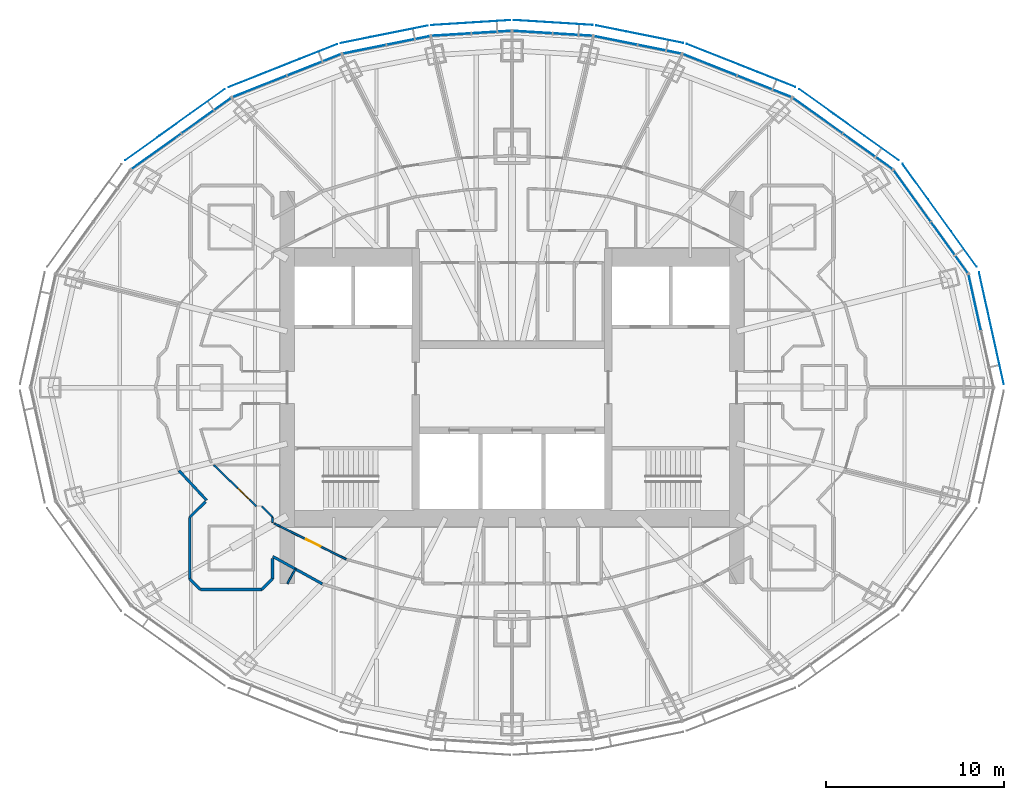
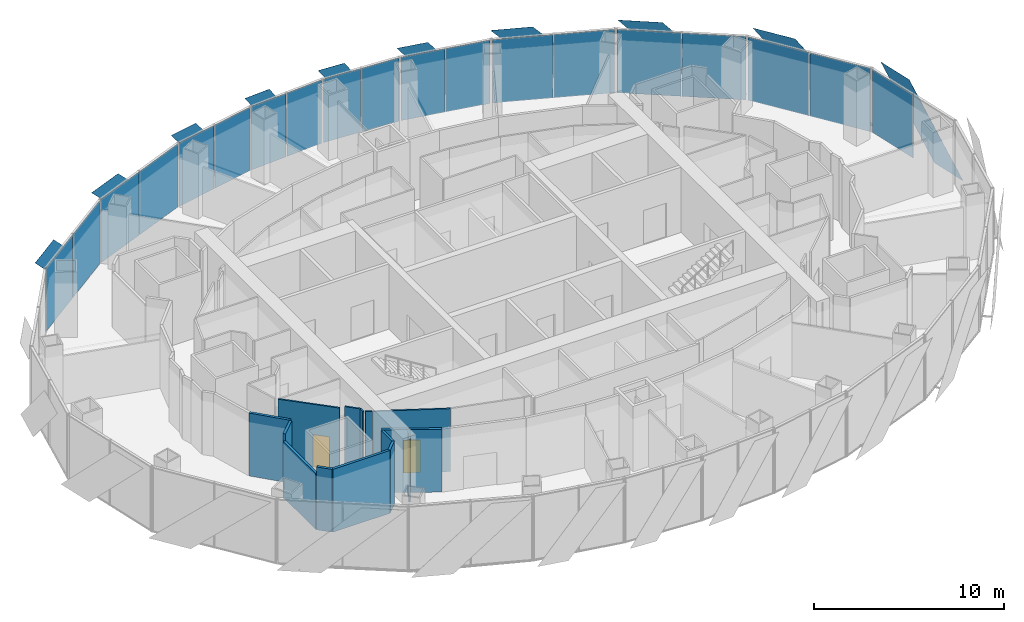
# One storey, part 11 of 19: 29 plates, 14 walls, 2 doors, 2 openings, 10 elements without a shape of their own.
"""IFC4 building model written with IfcOpenShell, lengths in metres."""

from ifc_helpers import new_model, si_unit, direction, frame, frame_2d, origin, origin_2d, place, context, subcontext, project, spatial, polyline, rectangle, outline, extrude, material, layer, layer_set, type_object, element, fill, aggregate, save


model = new_model("IFC4")

# Units and contexts
model_context = context("Model", 3, precision=1e-05, world=origin(), true_north=direction((0.0, 1.0)))
body_context = subcontext(model_context, "Body", "Model", "MODEL_VIEW")
ifc_project = project(units=[si_unit("LENGTHUNIT", "METRE"), si_unit("AREAUNIT", "SQUARE_METRE"), si_unit("VOLUMEUNIT", "CUBIC_METRE"), si_unit("PLANEANGLEUNIT", "RADIAN"), si_unit("MASSUNIT", "GRAM", prefix="KILO")], contexts=[model_context])

# Site, building, storey
site_placement = place(None, origin())
site = spatial("IfcSite", under=ifc_project, at=site_placement, CompositionType="ELEMENT")
building_placement = place(site_placement, origin())
building = spatial("IfcBuilding", under=site, at=building_placement, Name="Lantaw Convention Tower", CompositionType="ELEMENT")
storey_placement = place(building_placement, frame((0.0, 0.0, 249.39990234375)))
storey = spatial("IfcBuildingStorey", under=building, at=storey_placement, Name="L58", CompositionType="ELEMENT", Elevation=249.39990234375)

# Curtain wall, plate
ifc_material_1 = material(Name="Aluminium framed curtain wall", Category="aluminium")
curtain_wall_type = type_object("IfcCurtainWallType", Name="Office curtain wall high rise, pale aluminium", PredefinedType="USERDEFINED", material=ifc_material_1)
curtain_wall_1_placement = place(storey_placement, origin())
curtain_wall_1 = element("IfcCurtainWall", 1, at=curtain_wall_1_placement, inside=storey, type_object=curtain_wall_type, Name="Office curtain wall high rise, pale aluminium L58", ObjectType="UNITISED CURTAIN WALL", PredefinedType="USERDEFINED")
ifc_material_2 = material(Name="Clear insulating glass", Category="glass")
ifc_layer_1 = layer(ifc_material_2, 0.028076171875)
ifc_layer_set_1 = layer_set([ifc_layer_1], Name="CW-O2 panel 28")
plate_type_1 = type_object("IfcPlateType", Name="CW-O2 panel 28", PredefinedType="CURTAIN_PANEL", material=ifc_layer_set_1)
plate_1_placement = place(storey_placement, frame((25.945556640625, 4.769287109375, -0.0849609375), z_axis=(0.0, 0.0, 1.0), x_axis=(-0.215891333626, 0.976417396437, 0.0)))
plate_1 = element("IfcPlate", 2, at=plate_1_placement, type_object=plate_type_1, Name="CW-O2 panel 2.1", PredefinedType="CURTAIN_PANEL", context=body_context, shape_type="SweptSolid", body=[
    extrude(rectangle(XDim=3.169677734375, YDim=0.028076171875, at=origin_2d()), origin(), (0.0, 0.0, 1.0), 4.070068359375),
])
aggregate(curtain_wall_1, [plate_1])

# Curtain wall, plates
curtain_wall_2_placement = place(storey_placement, origin())
curtain_wall_2 = element("IfcCurtainWall", 3, at=curtain_wall_2_placement, inside=storey, type_object=curtain_wall_type, Name="Office curtain wall high rise, pale aluminium L58", ObjectType="UNITISED CURTAIN WALL", PredefinedType="USERDEFINED")
plate_2_placement = place(storey_placement, frame((24.527099609375, 7.852294921875, -0.0849609375), z_axis=(0.0, 0.0, 1.0), x_axis=(-0.585157643865, 0.810919559405, 0.0)))
plate_2 = element("IfcPlate", 4, at=plate_2_placement, type_object=plate_type_1, Name="CW-O2 panel 1.1", PredefinedType="CURTAIN_PANEL", context=body_context, shape_type="SweptSolid", body=[
    extrude(rectangle(XDim=3.500732421875, YDim=0.028076171875, at=origin_2d()), origin(), (0.0, 0.0, 1.0), 4.070068359375),
])
plate_3_placement = place(storey_placement, frame((22.4404296875, 10.743896484375, -0.0849609375), z_axis=(0.0, 0.0, 1.0), x_axis=(-0.585157643865, 0.810919559405, 0.0)))
plate_3 = element("IfcPlate", 5, at=plate_3_placement, type_object=plate_type_1, Name="CW-O2 panel 2.1", PredefinedType="CURTAIN_PANEL", context=body_context, shape_type="SweptSolid", body=[
    extrude(rectangle(XDim=3.500732421875, YDim=0.028076171875, at=origin_2d()), origin(), (0.0, 0.0, 1.0), 4.070068359375),
])
aggregate(curtain_wall_2, [plate_2, plate_3])

curtain_wall_3_placement = place(storey_placement, origin())
curtain_wall_3 = element("IfcCurtainWall", 6, at=curtain_wall_3_placement, inside=storey, type_object=curtain_wall_type, Name="Office curtain wall high rise, pale aluminium L58", ObjectType="UNITISED CURTAIN WALL", PredefinedType="USERDEFINED")
plate_4_placement = place(storey_placement, frame((19.947509765625, 13.23828125, -0.0849609375), z_axis=(0.0, 0.0, 1.0), x_axis=(-0.813672540482, 0.581323487281, 0.0)))
plate_4 = element("IfcPlate", 7, at=plate_4_placement, type_object=plate_type_1, Name="CW-O2 panel 1.1", PredefinedType="CURTAIN_PANEL", context=body_context, shape_type="SweptSolid", body=[
    extrude(rectangle(XDim=3.386474609375, YDim=0.028076171875, at=origin_2d()), origin(), (0.0, 0.0, 1.0), 4.070068359375),
])
plate_5_placement = place(storey_placement, frame((17.13916015625, 15.24462890625, -0.0849609375), z_axis=(0.0, 0.0, 1.0), x_axis=(-0.813672540482, 0.581323487281, 0.0)))
plate_5 = element("IfcPlate", 8, at=plate_5_placement, type_object=plate_type_1, Name="CW-O2 panel 2.1", PredefinedType="CURTAIN_PANEL", context=body_context, shape_type="SweptSolid", body=[
    extrude(rectangle(XDim=3.386474609375, YDim=0.028076171875, at=origin_2d()), origin(), (0.0, 0.0, 1.0), 4.070068359375),
])
aggregate(curtain_wall_3, [plate_4, plate_5])

curtain_wall_4_placement = place(storey_placement, origin())
curtain_wall_4 = element("IfcCurtainWall", 9, at=curtain_wall_4_placement, inside=storey, type_object=curtain_wall_type, Name="Office curtain wall high rise, pale aluminium L58", ObjectType="UNITISED CURTAIN WALL", PredefinedType="USERDEFINED")
plate_6_placement = place(storey_placement, frame((14.14990234375, 16.8837890625, -0.0849609375), z_axis=(0.0, 0.0, 1.0), x_axis=(-0.929761533743, 0.368162315252, 0.0)))
plate_6 = element("IfcPlate", 10, at=plate_6_placement, type_object=plate_type_1, Name="CW-O2 panel 1.1", PredefinedType="CURTAIN_PANEL", context=body_context, shape_type="SweptSolid", body=[
    extrude(rectangle(XDim=3.222900390625, YDim=0.028076171875, at=origin_2d()), origin(), (0.0, 0.0, 1.0), 4.070068359375),
])
plate_7_placement = place(storey_placement, frame((11.0927734375, 18.094482421875, -0.0849609375), z_axis=(0.0, 0.0, 1.0), x_axis=(-0.929761533743, 0.368162315252, 0.0)))
plate_7 = element("IfcPlate", 11, at=plate_7_placement, type_object=plate_type_1, Name="CW-O2 panel 2.1", PredefinedType="CURTAIN_PANEL", context=body_context, shape_type="SweptSolid", body=[
    extrude(rectangle(XDim=3.222900390625, YDim=0.028076171875, at=origin_2d()), origin(), (0.0, 0.0, 1.0), 4.070068359375),
])
aggregate(curtain_wall_4, [plate_6, plate_7])

curtain_wall_5_placement = place(storey_placement, origin())
curtain_wall_5 = element("IfcCurtainWall", 12, at=curtain_wall_5_placement, inside=storey, type_object=curtain_wall_type, Name="Office curtain wall high rise, pale aluminium L58", ObjectType="UNITISED CURTAIN WALL", PredefinedType="USERDEFINED")
plate_8_placement = place(storey_placement, frame((8.2724609375, 18.96533203125, -0.0849609375), z_axis=(0.0, 0.0, 1.0), x_axis=(-0.980366679695, 0.197183095987, 0.0)))
plate_8 = element("IfcPlate", 13, at=plate_8_placement, type_object=plate_type_1, Name="CW-O2 panel 1.1", PredefinedType="CURTAIN_PANEL", context=body_context, shape_type="SweptSolid", body=[
    extrude(rectangle(XDim=2.44384765625, YDim=0.028076171875, at=origin_2d()), origin(), (0.0, 0.0, 1.0), 4.070068359375),
])
plate_9_placement = place(storey_placement, frame((5.81298828125, 19.4599609375, -0.0849609375), z_axis=(0.0, 0.0, 1.0), x_axis=(-0.980366679695, 0.197183095987, 0.0)))
plate_9 = element("IfcPlate", 14, at=plate_9_placement, type_object=plate_type_1, Name="CW-O2 panel 2.1", PredefinedType="CURTAIN_PANEL", context=body_context, shape_type="SweptSolid", body=[
    extrude(rectangle(XDim=2.44384765625, YDim=0.028076171875, at=origin_2d()), origin(), (0.0, 0.0, 1.0), 4.070068359375),
])
aggregate(curtain_wall_5, [plate_8, plate_9])

curtain_wall_6_placement = place(storey_placement, origin())
curtain_wall_6 = element("IfcCurtainWall", 15, at=curtain_wall_6_placement, inside=storey, type_object=curtain_wall_type, Name="Office curtain wall high rise, pale aluminium L58", ObjectType="UNITISED CURTAIN WALL", PredefinedType="USERDEFINED")
plate_10_placement = place(storey_placement, frame((3.397216796875, 19.786376953125, -0.0849609375), z_axis=(0.0, 0.0, 1.0), x_axis=(-0.998028774865, 0.062757983884, 0.0)))
plate_10 = element("IfcPlate", 16, at=plate_10_placement, type_object=plate_type_1, Name="CW-O2 panel 1.1", PredefinedType="CURTAIN_PANEL", context=body_context, shape_type="SweptSolid", body=[
    extrude(rectangle(XDim=2.1826171875, YDim=0.028076171875, at=origin_2d()), origin(), (0.0, 0.0, 1.0), 4.070068359375),
])
plate_11_placement = place(storey_placement, frame((1.154052734375, 19.927490234375, -0.0849609375), z_axis=(0.0, 0.0, 1.0), x_axis=(-0.998028774865, 0.062757983884, 0.0)))
plate_11 = element("IfcPlate", 17, at=plate_11_placement, type_object=plate_type_1, Name="CW-O2 panel 2.1", PredefinedType="CURTAIN_PANEL", context=body_context, shape_type="SweptSolid", body=[
    extrude(rectangle(XDim=2.1826171875, YDim=0.028076171875, at=origin_2d()), origin(), (0.0, 0.0, 1.0), 4.070068359375),
])
aggregate(curtain_wall_6, [plate_10, plate_11])

curtain_wall_7_placement = place(storey_placement, origin())
curtain_wall_7 = element("IfcCurtainWall", 18, at=curtain_wall_7_placement, inside=storey, type_object=curtain_wall_type, Name="Office curtain wall high rise, pale aluminium L58", ObjectType="UNITISED CURTAIN WALL", PredefinedType="USERDEFINED")
plate_12_placement = place(storey_placement, frame((-1.154052734375, 19.927490234375, -0.0849609375), z_axis=(0.0, 0.0, 1.0), x_axis=(-0.998028774865, -0.062757983884, 0.0)))
plate_12 = element("IfcPlate", 19, at=plate_12_placement, type_object=plate_type_1, Name="CW-O2 panel 1.1", PredefinedType="CURTAIN_PANEL", context=body_context, shape_type="SweptSolid", body=[
    extrude(rectangle(XDim=2.1826171875, YDim=0.028076171875, at=origin_2d()), origin(), (0.0, 0.0, 1.0), 4.070068359375),
])
plate_13_placement = place(storey_placement, frame((-3.397216796875, 19.786376953125, -0.0849609375), z_axis=(0.0, 0.0, 1.0), x_axis=(-0.998028774865, -0.062757983884, 0.0)))
plate_13 = element("IfcPlate", 20, at=plate_13_placement, type_object=plate_type_1, Name="CW-O2 panel 2.1", PredefinedType="CURTAIN_PANEL", context=body_context, shape_type="SweptSolid", body=[
    extrude(rectangle(XDim=2.1826171875, YDim=0.028076171875, at=origin_2d()), origin(), (0.0, 0.0, 1.0), 4.070068359375),
])
aggregate(curtain_wall_7, [plate_12, plate_13])

curtain_wall_8_placement = place(storey_placement, origin())
curtain_wall_8 = element("IfcCurtainWall", 21, at=curtain_wall_8_placement, inside=storey, type_object=curtain_wall_type, Name="Office curtain wall high rise, pale aluminium L58", ObjectType="UNITISED CURTAIN WALL", PredefinedType="USERDEFINED")
plate_14_placement = place(storey_placement, frame((-5.81298828125, 19.4599609375, -0.0849609375), z_axis=(0.0, 0.0, 1.0), x_axis=(-0.980366679695, -0.197183095987, 0.0)))
plate_14 = element("IfcPlate", 22, at=plate_14_placement, type_object=plate_type_1, Name="CW-O2 panel 1.1", PredefinedType="CURTAIN_PANEL", context=body_context, shape_type="SweptSolid", body=[
    extrude(rectangle(XDim=2.44384765625, YDim=0.028076171875, at=origin_2d()), origin(), (0.0, 0.0, 1.0), 4.070068359375),
])
plate_15_placement = place(storey_placement, frame((-8.2724609375, 18.96533203125, -0.0849609375), z_axis=(0.0, 0.0, 1.0), x_axis=(-0.980366679695, -0.197183095987, 0.0)))
plate_15 = element("IfcPlate", 23, at=plate_15_placement, type_object=plate_type_1, Name="CW-O2 panel 2.1", PredefinedType="CURTAIN_PANEL", context=body_context, shape_type="SweptSolid", body=[
    extrude(rectangle(XDim=2.44384765625, YDim=0.028076171875, at=origin_2d()), origin(), (0.0, 0.0, 1.0), 4.070068359375),
])
aggregate(curtain_wall_8, [plate_14, plate_15])

curtain_wall_9_placement = place(storey_placement, origin())
curtain_wall_9 = element("IfcCurtainWall", 24, at=curtain_wall_9_placement, inside=storey, type_object=curtain_wall_type, Name="Office curtain wall high rise, pale aluminium L58", ObjectType="UNITISED CURTAIN WALL", PredefinedType="USERDEFINED")
plate_16_placement = place(storey_placement, frame((-11.0927734375, 18.094482421875, -0.0849609375), z_axis=(0.0, 0.0, 1.0), x_axis=(-0.929761533743, -0.368162315252, 0.0)))
plate_16 = element("IfcPlate", 25, at=plate_16_placement, type_object=plate_type_1, Name="CW-O2 panel 1.1", PredefinedType="CURTAIN_PANEL", context=body_context, shape_type="SweptSolid", body=[
    extrude(rectangle(XDim=3.222900390625, YDim=0.028076171875, at=origin_2d()), origin(), (0.0, 0.0, 1.0), 4.070068359375),
])
plate_17_placement = place(storey_placement, frame((-14.14990234375, 16.8837890625, -0.0849609375), z_axis=(0.0, 0.0, 1.0), x_axis=(-0.929761533743, -0.368162315252, 0.0)))
plate_17 = element("IfcPlate", 26, at=plate_17_placement, type_object=plate_type_1, Name="CW-O2 panel 2.1", PredefinedType="CURTAIN_PANEL", context=body_context, shape_type="SweptSolid", body=[
    extrude(rectangle(XDim=3.222900390625, YDim=0.028076171875, at=origin_2d()), origin(), (0.0, 0.0, 1.0), 4.070068359375),
])
aggregate(curtain_wall_9, [plate_16, plate_17])

curtain_wall_10_placement = place(storey_placement, origin())
curtain_wall_10 = element("IfcCurtainWall", 27, at=curtain_wall_10_placement, inside=storey, type_object=curtain_wall_type, Name="Office curtain wall high rise, pale aluminium L58", ObjectType="UNITISED CURTAIN WALL", PredefinedType="USERDEFINED")
plate_18_placement = place(storey_placement, frame((-17.13916015625, 15.24462890625, -0.0849609375), z_axis=(0.0, 0.0, 1.0), x_axis=(-0.813672540482, -0.581323487281, 0.0)))
plate_18 = element("IfcPlate", 28, at=plate_18_placement, type_object=plate_type_1, Name="CW-O2 panel 1.1", PredefinedType="CURTAIN_PANEL", context=body_context, shape_type="SweptSolid", body=[
    extrude(rectangle(XDim=3.386474609375, YDim=0.028076171875, at=origin_2d()), origin(), (0.0, 0.0, 1.0), 4.070068359375),
])
plate_19_placement = place(storey_placement, frame((-19.947509765625, 13.23828125, -0.0849609375), z_axis=(0.0, 0.0, 1.0), x_axis=(-0.813672540482, -0.581323487281, 0.0)))
plate_19 = element("IfcPlate", 29, at=plate_19_placement, type_object=plate_type_1, Name="CW-O2 panel 2.1", PredefinedType="CURTAIN_PANEL", context=body_context, shape_type="SweptSolid", body=[
    extrude(rectangle(XDim=3.386474609375, YDim=0.028076171875, at=origin_2d()), origin(), (0.0, 0.0, 1.0), 4.070068359375),
])
aggregate(curtain_wall_10, [plate_18, plate_19])

# Plates
ifc_material_3 = material(Name="Perforated aluminium sheet, pale silver finish", Category="aluminium")
ifc_layer_2 = layer(ifc_material_3, 0.006103515625)
ifc_layer_set_2 = layer_set([ifc_layer_2], Name="Perforated aluminium solar SCREEN panel")
plate_type_2 = type_object("IfcPlateType", Name="Perforated aluminium solar SCREEN panel", PredefinedType="SHEET", material=ifc_layer_set_2)
plate_20_placement = place(storey_placement, frame((27.580810546875, 0.1796875, -0.1748046875), z_axis=(0.976429511424, 0.215836529031, 4.4221925e-05), x_axis=(-0.215836529242, 0.976429512379, 0.0)))
element("IfcPlate", 30, at=plate_20_placement, inside=storey, type_object=plate_type_2, Name="Solar SCREEN panel", PredefinedType="SHEET", context=body_context, shape_type="SweptSolid", body=[
    extrude(outline(polyline([(0.0, 0.0), (2.2215525295212517, 3.3881317890172014e-21), (6.4341686174090675, 4.339843754243453), (4.212616087887817, 4.339843754243453), (0.0, 0.0)])), origin(), (0.0, 0.0, -1.0), 0.006103515625),
])
plate_21_placement = place(storey_placement, frame((26.051513671875, 6.775390625, -0.1748046875), z_axis=(-0.810892289695, -0.585195432394, 2.0459565e-05), x_axis=(-0.585195432516, 0.810892289865, 0.0)))
element("IfcPlate", 31, at=plate_21_placement, inside=storey, type_object=plate_type_2, Name="Solar SCREEN panel", PredefinedType="SHEET", context=body_context, shape_type="SweptSolid", body=[
    extrude(outline(polyline([(0.0, 0.0), (2.4468488406832853, 0.0), (7.096610466675719, -4.339843750908316), (4.649761625992434, -4.339843750908316), (0.0, 0.0)])), origin(), (0.0, 0.0, -1.0), 0.006103515625),
])
plate_22_placement = place(storey_placement, frame((21.689697265625, 12.73828125, -0.1748046875), z_axis=(0.581330799771, 0.813667316006, 1.0072981e-05), x_axis=(-0.813667316047, 0.5813307998, 3.02e-10)))
element("IfcPlate", 32, at=plate_22_placement, inside=storey, type_object=plate_type_2, Name="Solar SCREEN panel", PredefinedType="SHEET", context=body_context, shape_type="SweptSolid", body=[
    extrude(outline(polyline([(0.0, 0.0), (2.36914164286685, -1.6940658945086007e-21), (6.867806096558412, 4.339843748148034), (4.498863102938643, 4.3398437495775966), (0.0, 0.0)])), origin(), (0.0, 0.0, -1.0), 0.006103515625),
])
plate_23_placement = place(storey_placement, frame((15.88525390625, 16.8486328125, -0.1748046875), z_axis=(-0.368116612072, -0.929779629081, 3.5535267e-05), x_axis=(-0.929779629668, 0.368116612304, -1.786e-09)))
element("IfcPlate", 33, at=plate_23_placement, inside=storey, type_object=plate_type_2, Name="Solar SCREEN panel", PredefinedType="SHEET", context=body_context, shape_type="SweptSolid", body=[
    extrude(outline(polyline([(0.0, 0.0), (2.2578720663572183, -6.776263578034403e-21), (6.540904465438181, -4.339843764423989), (4.282942526861161, -4.33984375635743), (0.0, 0.0)])), origin(), (0.0, 0.0, -1.0), 0.006103515625),
])
plate_24_placement = place(storey_placement, frame((9.6044921875, 19.315673828125, -0.1748046875), z_axis=(-0.197162069853, -0.980370908428, 1.0904697e-05), x_axis=(-0.980370908486, 0.197162069865, -7.55e-10)))
element("IfcPlate", 34, at=plate_24_placement, inside=storey, type_object=plate_type_2, Name="Solar SCREEN panel", PredefinedType="SHEET", context=body_context, shape_type="SweptSolid", body=[
    extrude(outline(polyline([(0.0, 0.0), (1.7279870169553606, 0.0), (4.982578440602753, -4.339843754020975), (3.2545432883764285, -4.339843751410917), (0.0, 0.0)])), origin(), (0.0, 0.0, -1.0), 0.006103515625),
])
plate_25_placement = place(storey_placement, frame((4.539306640625, 20.32177734375, -0.1748046875), z_axis=(-0.062672387577, -0.998034151922, 5.8589976e-05), x_axis=(-0.998034153635, 0.062672387685, 0.0)))
element("IfcPlate", 35, at=plate_25_placement, inside=storey, type_object=plate_type_2, Name="Solar SCREEN panel", PredefinedType="SHEET", context=body_context, shape_type="SweptSolid", body=[
    extrude(outline(polyline([(0.0, 0.0), (1.5504111513762302, 8.470329472543003e-22), (4.460200019412434, -4.339843757448876), (2.9097888680362036, -4.339843757448876), (0.0, 0.0)])), origin(), (0.0, 0.0, -1.0), 0.006103515625),
])
plate_26_placement = place(storey_placement, frame((-0.087890625, 20.6015625, -0.1748046875), z_axis=(-0.062672387577, 0.998034151922, 5.8589976e-05), x_axis=(-0.998034153635, -0.062672387685, 0.0)))
element("IfcPlate", 36, at=plate_26_placement, inside=storey, type_object=plate_type_2, Name="Solar SCREEN panel", PredefinedType="SHEET", context=body_context, shape_type="SweptSolid", body=[
    extrude(outline(polyline([(0.0, 0.0), (1.5504111513762302, -8.470329472543003e-22), (4.460200019412434, 4.339843757448876), (2.9097888680362036, 4.339843757448876), (0.0, 0.0)])), origin(), (0.0, 0.0, -1.0), 0.006103515625),
])
plate_27_placement = place(storey_placement, frame((-4.7197265625, 20.298095703125, -0.1748046875), z_axis=(-0.197162069853, 0.980370908428, 1.0904697e-05), x_axis=(-0.980370908486, -0.197162069865, 7.55e-10)))
element("IfcPlate", 37, at=plate_27_placement, inside=storey, type_object=plate_type_2, Name="Solar SCREEN panel", PredefinedType="SHEET", context=body_context, shape_type="SweptSolid", body=[
    extrude(outline(polyline([(0.0, 0.0), (1.7280351522263238, 0.0), (4.982578447157737, 4.339843746495192), (3.2545914302023755, 4.339843749105177), (0.0, 0.0)])), origin(), (0.0, 0.0, -1.0), 0.006103515625),
])
plate_28_placement = place(storey_placement, frame((-9.8037109375, 19.256591796875, -0.1748046875), z_axis=(-0.368116612072, 0.929779629081, 3.5535267e-05), x_axis=(-0.929779629668, -0.368116612304, 1.786e-09)))
element("IfcPlate", 38, at=plate_28_placement, inside=storey, type_object=plate_type_2, Name="Solar SCREEN panel", PredefinedType="SHEET", context=body_context, shape_type="SweptSolid", body=[
    extrude(outline(polyline([(0.0, 0.0), (2.257961938577019, 6.776263578034403e-21), (6.540904480942253, 4.339843741056637), (4.283032414585034, 4.339843749122875), (0.0, 0.0)])), origin(), (0.0, 0.0, -1.0), 0.006103515625),
])
plate_29_placement = place(storey_placement, frame((-16.1015625, 16.730712890625, -0.1748046875), z_axis=(0.581330799771, -0.813667316006, 1.0072981e-05), x_axis=(-0.813667316047, -0.5813307998, -3.02e-10)))
element("IfcPlate", 39, at=plate_29_placement, inside=storey, type_object=plate_type_2, Name="Solar SCREEN panel", PredefinedType="SHEET", context=body_context, shape_type="SweptSolid", body=[
    extrude(outline(polyline([(0.0, 0.0), (2.3689429936197683, -1.6940658945086007e-21), (6.867806093939489, -4.339843752292481), (4.498664451072639, -4.339843750862799), (0.0, 0.0)])), origin(), (0.0, 0.0, -1.0), 0.006103515625),
])

# Walls
ifc_material_4 = material(Name="Gypsum board on steel studs, fire rated", Category="steel")
ifc_layer_3 = layer(ifc_material_4, 0.14990234375)
ifc_layer_set_3 = layer_set([ifc_layer_3], Name="Corridor wall 150 EI 60")
wall_type_1 = type_object("IfcWallType", Name="Corridor wall 150 EI 60", PredefinedType="PARTITIONING", material=ifc_layer_set_3)
wall_1_placement = place(storey_placement, frame((-18.67333984375, -4.65576171875, 0.0), z_axis=(0.0, 0.0, 1.0), x_axis=(0.680985069419, -0.732297299755, 0.0)))
element("IfcWall", 40, at=wall_1_placement, inside=storey, type_object=wall_type_1, Name="Corridor wall 150", PredefinedType="PARTITIONING", context=body_context, shape_type="SweptSolid", body=[
    extrude(rectangle(XDim=2.279052734375, YDim=0.14990234375, at=frame_2d((1.1396484375, 0.0))), origin(), (0.0, 0.0, 1.0), 4.050048828125),
])
wall_2_placement = place(storey_placement, frame((-13.4150390625, -9.4716796875, 0.0), z_axis=(0.0, 0.0, 1.0), x_axis=(0.875072100837, -0.483992580869, 0.0)))
element("IfcWall", 41, at=wall_2_placement, inside=storey, type_object=wall_type_1, Name="Corridor wall 150", PredefinedType="PARTITIONING", context=body_context, shape_type="SweptSolid", body=[
    extrude(rectangle(XDim=3.179443359375, YDim=0.14990234375, at=frame_2d((1.58984375, 0.0))), origin(), (0.0, 0.0, 1.0), 4.050048828125),
])
wall_3_placement = place(storey_placement, frame((-18.074951171875, -7.275390625, 0.0), z_axis=(0.0, 0.0, 1.0), x_axis=(0.713842064016, 0.700306723973, 0.0)))
element("IfcWall", 42, at=wall_3_placement, inside=storey, type_object=wall_type_1, Name="Corridor wall 150", PredefinedType="PARTITIONING", context=body_context, shape_type="SweptSolid", body=[
    extrude(rectangle(XDim=1.24462890625, YDim=0.14990234375, at=frame_2d((0.622314453125, 0.0))), origin(), (0.0, 0.0, 1.0), 4.050048828125),
])
wall_4_placement = place(storey_placement, frame((-13.425048828125, -9.586181640625, 0.0), z_axis=(0.0, 0.0, 1.0), x_axis=(0.0, -1.0, 0.0)))
element("IfcWall", 43, at=wall_4_placement, inside=storey, type_object=wall_type_1, Name="Corridor wall 150", PredefinedType="PARTITIONING", context=body_context, shape_type="SweptSolid", body=[
    extrude(rectangle(XDim=1.138427734375, YDim=0.14990234375, at=frame_2d((0.5693359375, 0.0))), origin(), (0.0, 0.0, 1.0), 4.050048828125),
])
wall_5_placement = place(storey_placement, frame((-13.425048828125, -10.724609375, 0.0), z_axis=(0.0, 0.0, 1.0), x_axis=(-0.707106781187, -0.707106781187, 0.0)))
element("IfcWall", 44, at=wall_5_placement, inside=storey, type_object=wall_type_1, Name="Corridor wall 150", PredefinedType="PARTITIONING", context=body_context, shape_type="SweptSolid", body=[
    extrude(rectangle(XDim=0.84912109375, YDim=0.14990234375, at=frame_2d((0.424560546875, 0.0))), origin(), (0.0, 0.0, 1.0), 4.050048828125),
])
wall_6_placement = place(storey_placement, frame((-14.025390625, -11.324951171875, 0.0), z_axis=(0.0, 0.0, 1.0), x_axis=(-1.0, 0.0, 0.0)))
element("IfcWall", 45, at=wall_6_placement, inside=storey, type_object=wall_type_1, Name="Corridor wall 150", PredefinedType="PARTITIONING", context=body_context, shape_type="SweptSolid", body=[
    extrude(rectangle(XDim=3.44921875, YDim=0.14990234375, at=frame_2d((1.724609375, 0.0))), origin(), (0.0, 0.0, 1.0), 4.050048828125),
])
wall_7_placement = place(storey_placement, frame((-17.474609375, -11.324951171875, 0.0), z_axis=(0.0, 0.0, 1.0), x_axis=(-0.707106781187, 0.707106781187, 0.0)))
element("IfcWall", 46, at=wall_7_placement, inside=storey, type_object=wall_type_1, Name="Corridor wall 150", PredefinedType="PARTITIONING", context=body_context, shape_type="SweptSolid", body=[
    extrude(rectangle(XDim=0.84912109375, YDim=0.14990234375, at=frame_2d((0.424560546875, 0.0))), origin(), (0.0, 0.0, 1.0), 4.050048828125),
])
wall_8_placement = place(storey_placement, frame((-18.074951171875, -10.724609375, 0.0), z_axis=(0.0, 0.0, 1.0), x_axis=(0.0, 1.0, 0.0)))
element("IfcWall", 47, at=wall_8_placement, inside=storey, type_object=wall_type_1, Name="Corridor wall 150", PredefinedType="PARTITIONING", context=body_context, shape_type="SweptSolid", body=[
    extrude(rectangle(XDim=3.44921875, YDim=0.14990234375, at=frame_2d((1.724609375, 0.0))), origin(), (0.0, 0.0, 1.0), 3.6005859375),
])
ifc_material_5 = material(Name="Gypsum board on steel studs, acoustic", Category="steel")
ifc_layer_4 = layer(ifc_material_5, 0.10009765625)
ifc_layer_set_4 = layer_set([ifc_layer_4], Name="Office partition 100")
wall_type_2 = type_object("IfcWallType", Name="Office partition 100", PredefinedType="PARTITIONING", material=ifc_layer_set_4)
wall_9_placement = place(storey_placement, frame((-13.0, -7.788330078125, 0.0), z_axis=(0.0, 0.0, 1.0), x_axis=(-0.895721570004, 0.444615416995, 0.0)))
element("IfcWall", 48, at=wall_9_placement, inside=storey, type_object=wall_type_2, Name="Office partition 100", PredefinedType="PARTITIONING", context=body_context, shape_type="SweptSolid", body=[
    extrude(rectangle(XDim=0.376220703125, YDim=0.10009765625, at=frame_2d((0.18798828125, 0.0))), origin(), (0.0, 0.0, 1.0), 4.050048828125),
])

# Wall, opening, door
wall_10_placement = place(storey_placement, frame((-9.2978515625, -9.628173828125, 0.0), z_axis=(0.0, 0.0, 1.0), x_axis=(-0.895529831139, 0.445001484874, 0.0)))
wall_10 = element("IfcWall", 49, at=wall_10_placement, inside=storey, type_object=wall_type_2, Name="Office partition 100", PredefinedType="PARTITIONING", context=body_context, shape_type="SweptSolid", body=[
    extrude(rectangle(XDim=4.108154296875, YDim=0.10009765625, at=frame_2d((2.05419921875, 0.0))), origin(), (0.0, 0.0, 1.0), 4.050048828125),
])
opening_1_placement = place(wall_10_placement, frame((1.60400390625, 0.0, 0.0)))
opening_1 = element("IfcOpeningElement", 50, at=opening_1_placement, cuts=wall_10, Name="Opening L58.24", PredefinedType="OPENING", context=body_context, shape_type="SweptSolid", body=[
    extrude(rectangle(XDim=0.89990234375, YDim=2.10009765625, at=frame_2d((0.449951171875, 1.050048828125))), frame((0.0, 0.06005859375, 0.0), z_axis=(0.0, -1.0, 0.0), x_axis=(1.0, 0.0, 0.0)), (0.0, 0.0, 1.0), 0.1201171875),
])
ifc_material_6 = material(Name="Timber", Category="wood")
door_type = type_object("IfcDoorType", Name="Office door 900", OperationType="SINGLE_SWING_LEFT", PredefinedType="DOOR", material=ifc_material_6)
door_1_placement = place(opening_1_placement, origin())
door_1 = element("IfcDoor", 51, at=door_1_placement, inside=storey, type_object=door_type, Name="Tenant storage room door", OperationType="SINGLE_SWING_LEFT", OverallHeight=2.10009765625, OverallWidth=0.89990234375, PredefinedType="DOOR", context=body_context, shape_type="SweptSolid", body=[
    extrude(rectangle(XDim=0.89990234375, YDim=2.10009765625, at=frame_2d((0.449951171875, 1.050048828125))), frame((0.0, 0.02490234375, 0.0), z_axis=(0.0, -1.0, 0.0), x_axis=(1.0, 0.0, 0.0)), (0.0, 0.0, 1.0), 0.050048828125),
])
fill(opening_1, door_1)

# Wall
wall_11_placement = place(storey_placement, frame((-12.60009765625, -11.0, 0.0), z_axis=(0.0, 0.0, 1.0), x_axis=(0.484103558985, 0.875010710893, 0.0)))
element("IfcWall", 52, at=wall_11_placement, inside=storey, type_object=wall_type_2, Name="Office partition 100", PredefinedType="PARTITIONING", context=body_context, shape_type="SweptSolid", body=[
    extrude(rectangle(XDim=0.943115234375, YDim=0.10009765625, at=frame_2d((0.4716796875, 0.0))), origin(), (0.0, 0.0, 1.0), 4.050048828125),
])

# Wall, opening, door
wall_12_placement = place(storey_placement, frame((-14.325439453125, -6.6650390625, 0.0), z_axis=(0.0, 0.0, 1.0), x_axis=(-0.718798647558, 0.695218314107, 0.0)))
wall_12 = element("IfcWall", 53, at=wall_12_placement, inside=storey, type_object=wall_type_2, Name="Office partition 100", PredefinedType="PARTITIONING", context=body_context, shape_type="SweptSolid", body=[
    extrude(rectangle(XDim=3.34423828125, YDim=0.10009765625, at=frame_2d((1.672119140625, 0.0))), origin(), (0.0, 0.0, 1.0), 4.050048828125),
])
opening_2_placement = place(wall_12_placement, frame((0.550048828125, 0.0, 0.0)))
opening_2 = element("IfcOpeningElement", 54, at=opening_2_placement, cuts=wall_12, Name="Opening L58.22", PredefinedType="OPENING", context=body_context, shape_type="SweptSolid", body=[
    extrude(rectangle(XDim=0.89990234375, YDim=2.10009765625, at=frame_2d((0.449951171875, 1.050048828125))), frame((0.0, 0.06005859375, 0.0), z_axis=(0.0, -1.0, 0.0), x_axis=(1.0, 0.0, 0.0)), (0.0, 0.0, 1.0), 0.1201171875),
])
door_2_placement = place(opening_2_placement, origin())
door_2 = element("IfcDoor", 55, at=door_2_placement, inside=storey, type_object=door_type, Name="Meeting room door", OperationType="SINGLE_SWING_LEFT", OverallHeight=2.10009765625, OverallWidth=0.89990234375, PredefinedType="DOOR", context=body_context, shape_type="SweptSolid", body=[
    extrude(rectangle(XDim=0.89990234375, YDim=2.10009765625, at=frame_2d((0.449951171875, 1.050048828125))), frame((0.0, 0.02490234375, 0.0), z_axis=(0.0, -1.0, 0.0), x_axis=(1.0, 0.0, 0.0)), (0.0, 0.0, 1.0), 0.050048828125),
])
fill(opening_2, door_2)

# Walls
wall_13_placement = place(storey_placement, frame((-14.025390625, -6.675048828125, 0.0), z_axis=(0.0, 0.0, 1.0), x_axis=(0.707106781187, -0.707106781187, 0.0)))
element("IfcWall", 56, at=wall_13_placement, inside=storey, type_object=wall_type_2, Name="Office partition 100", PredefinedType="PARTITIONING", context=body_context, shape_type="SweptSolid", body=[
    extrude(rectangle(XDim=0.84912109375, YDim=0.10009765625, at=frame_2d((0.424560546875, 0.0))), origin(), (0.0, 0.0, 1.0), 4.050048828125),
])
wall_14_placement = place(storey_placement, frame((-13.425048828125, -7.275390625, 0.0), z_axis=(0.0, 0.0, 1.0), x_axis=(0.0, -1.0, 0.0)))
element("IfcWall", 57, at=wall_14_placement, inside=storey, type_object=wall_type_2, Name="Office partition 100", PredefinedType="PARTITIONING", context=body_context, shape_type="SweptSolid", body=[
    extrude(rectangle(XDim=0.30224609375, YDim=0.10009765625, at=frame_2d((0.151123046875, 0.0))), origin(), (0.0, 0.0, 1.0), 4.050048828125),
])

save(model, "model.ifc")
